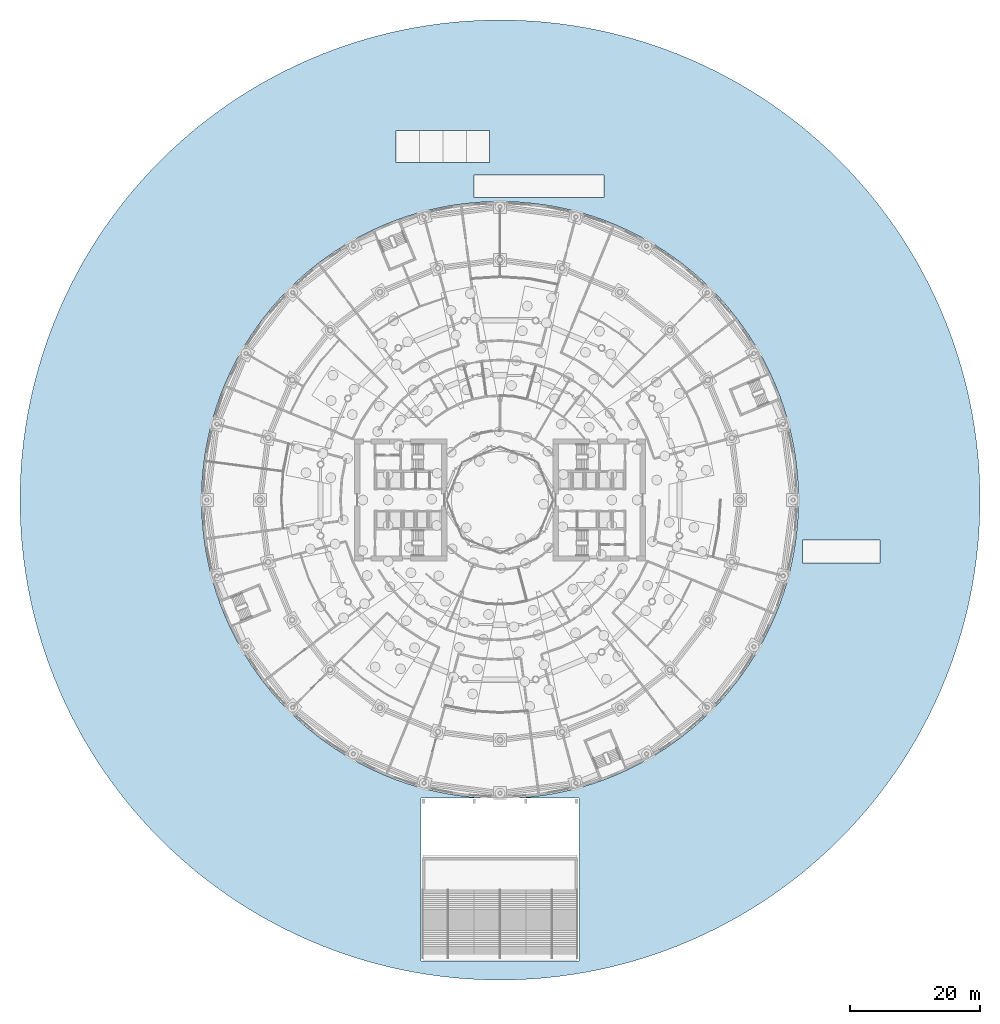
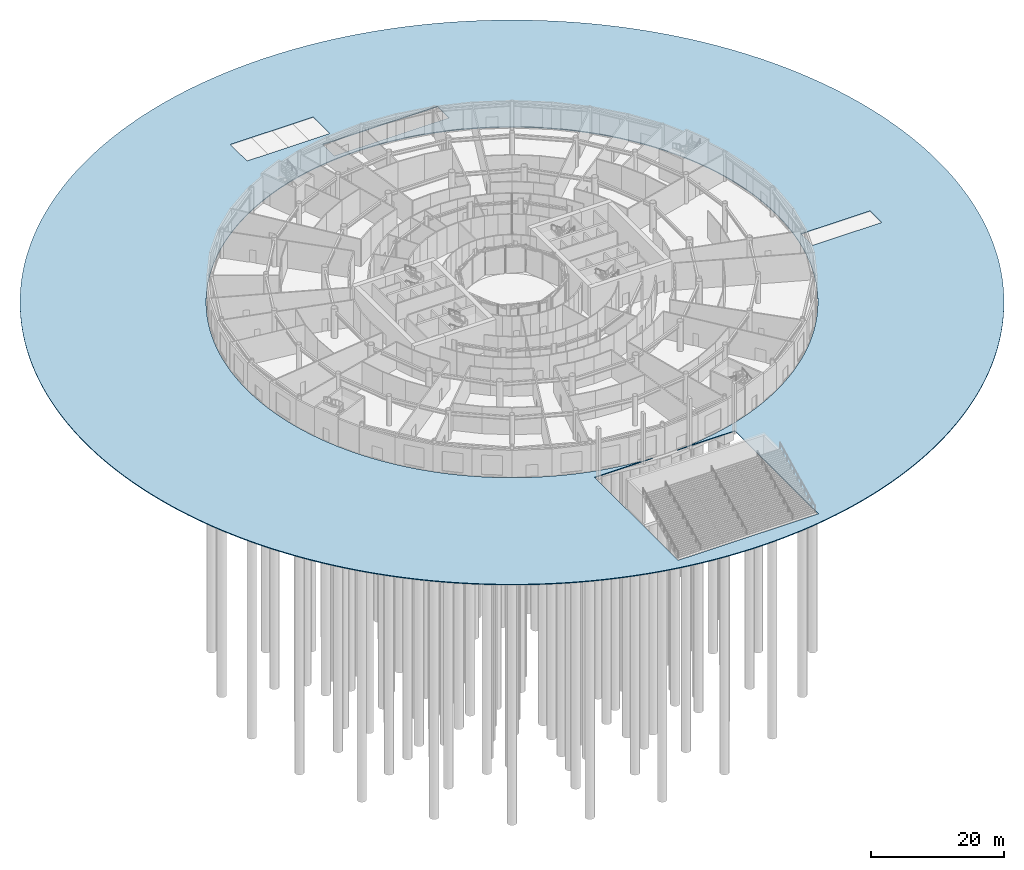
# One storey, part 16 of 41: 1 slab.
"""IFC4 building model written with IfcOpenShell, lengths in metres."""

from ifc_helpers import new_model, si_unit, direction, frame, origin, place, context, subcontext, project, spatial, polyline, outline, extrude, material, layer, layer_set, type_object, element, save


model = new_model("IFC4")

# Units and contexts
model_context = context("Model", 3, precision=1e-05, world=origin(), true_north=direction((0.0, 1.0)))
body_context = subcontext(model_context, "Body", "Model", "MODEL_VIEW")
ifc_project = project(units=[si_unit("LENGTHUNIT", "METRE"), si_unit("AREAUNIT", "SQUARE_METRE"), si_unit("VOLUMEUNIT", "CUBIC_METRE"), si_unit("PLANEANGLEUNIT", "RADIAN"), si_unit("MASSUNIT", "GRAM", prefix="KILO")], contexts=[model_context])

# Site, building, storey
site_placement = place(None, origin())
site = spatial("IfcSite", under=ifc_project, at=site_placement, CompositionType="ELEMENT")
building_placement = place(site_placement, origin())
building = spatial("IfcBuilding", under=site, at=building_placement, Name="Maasbend Ring Residences", CompositionType="ELEMENT")
storey_placement = place(building_placement, origin())
storey = spatial("IfcBuildingStorey", under=building, at=storey_placement, Name="L00", CompositionType="ELEMENT", Elevation=0.0)

# Slab
ifc_material = material(Name="Granite paving", Category="masonry")
ifc_layer = layer(ifc_material, 0.14990234375)
ifc_layer_set = layer_set([ifc_layer], Name="PAVING-PLAZA")
slab_type = type_object("IfcSlabType", Name="PAVING-PLAZA", PredefinedType="USERDEFINED", material=ifc_layer_set)
slab_placement = place(storey_placement, frame((0.0, 0.0, -0.14990234375)))
element("IfcSlab", 1, at=slab_placement, inside=storey, type_object=slab_type, Name="Street paving", ObjectType="PAVING", PredefinedType="USERDEFINED", context=body_context, shape_type="SweptSolid", body=[
    extrude(outline(polyline([(73.910888671875, -3.631103515625), (73.841552734375, -4.83984375), (73.75244140625, -6.04736328125), (73.6435546875, -7.253173828125), (73.51513671875, -8.457275390625), (73.366943359375, -9.658935546875), (73.198974609375, -10.858154296875), (73.01171875, -12.05419921875), (72.8046875, -13.247314453125), (72.578125, -14.436767578125), (72.332275390625, -15.622314453125), (72.06689453125, -16.8037109375), (71.7822265625, -17.98046875), (71.478515625, -19.152587890625), (71.155517578125, -20.319580078125), (70.8134765625, -21.48095703125), (70.45263671875, -22.63671875), (70.07275390625, -23.78662109375), (69.67431640625, -24.929931640625), (69.257080078125, -26.06640625), (68.8212890625, -27.1962890625), (68.3671875, -28.318603515625), (67.89453125, -29.433349609375), (67.40380859375, -30.540283203125), (66.895263671875, -31.63916015625), (66.36865234375, -32.729248046875), (65.82421875, -33.810791015625), (65.26220703125, -34.88330078125), (64.6826171875, -35.946533203125), (64.0859375, -37.0), (63.471923828125, -38.043701171875), (62.841064453125, -39.076904296875), (62.193115234375, -40.10009765625), (61.52880859375, -41.1123046875), (60.847900390625, -42.113525390625), (60.150634765625, -43.103271484375), (59.437255859375, -44.081787109375), (58.708251953125, -45.04833984375), (57.963134765625, -46.0029296875), (57.202880859375, -46.945068359375), (56.427001953125, -47.874755859375), (55.63623046875, -48.79150390625), (54.830322265625, -49.6953125), (54.010009765625, -50.5859375), (53.175048828125, -51.462646484375), (52.325927734375, -52.325927734375), (51.462646484375, -53.175048828125), (50.5859375, -54.010009765625), (49.6953125, -54.830322265625), (48.79150390625, -55.63623046875), (47.874755859375, -56.427001953125), (46.945068359375, -57.202880859375), (46.0029296875, -57.963134765625), (45.04833984375, -58.708251953125), (44.081787109375, -59.437255859375), (43.103271484375, -60.150634765625), (42.113525390625, -60.847900390625), (41.1123046875, -61.52880859375), (40.10009765625, -62.193115234375), (39.076904296875, -62.841064453125), (38.043701171875, -63.471923828125), (37.0, -64.0859375), (35.946533203125, -64.6826171875), (34.88330078125, -65.26220703125), (33.810791015625, -65.82421875), (32.729248046875, -66.36865234375), (31.63916015625, -66.895263671875), (30.540283203125, -67.40380859375), (29.433349609375, -67.89453125), (28.318603515625, -68.3671875), (27.1962890625, -68.8212890625), (26.06640625, -69.257080078125), (24.929931640625, -69.67431640625), (23.78662109375, -70.07275390625), (22.63671875, -70.45263671875), (21.48095703125, -70.8134765625), (20.319580078125, -71.155517578125), (19.152587890625, -71.478515625), (17.98046875, -71.7822265625), (16.8037109375, -72.06689453125), (15.622314453125, -72.332275390625), (14.436767578125, -72.578125), (13.247314453125, -72.8046875), (12.05419921875, -73.01171875), (10.858154296875, -73.198974609375), (9.658935546875, -73.366943359375), (8.457275390625, -73.51513671875), (7.253173828125, -73.6435546875), (6.04736328125, -73.75244140625), (4.83984375, -73.841552734375), (3.631103515625, -73.910888671875), (2.421142578125, -73.96044921875), (1.210693359375, -73.989990234375), (0.0, -74.0), (-1.210693359375, -73.989990234375), (-2.421142578125, -73.96044921875), (-3.631103515625, -73.910888671875), (-4.83984375, -73.841552734375), (-6.04736328125, -73.75244140625), (-7.253173828125, -73.6435546875), (-8.457275390625, -73.51513671875), (-9.658935546875, -73.366943359375), (-10.858154296875, -73.198974609375), (-12.05419921875, -73.01171875), (-13.247314453125, -72.8046875), (-14.436767578125, -72.578125), (-15.622314453125, -72.332275390625), (-16.8037109375, -72.06689453125), (-17.98046875, -71.7822265625), (-19.152587890625, -71.478515625), (-20.319580078125, -71.155517578125), (-21.48095703125, -70.8134765625), (-22.63671875, -70.45263671875), (-23.78662109375, -70.07275390625), (-24.929931640625, -69.67431640625), (-26.06640625, -69.257080078125), (-27.1962890625, -68.8212890625), (-28.318603515625, -68.3671875), (-29.433349609375, -67.89453125), (-30.540283203125, -67.40380859375), (-31.63916015625, -66.895263671875), (-32.729248046875, -66.36865234375), (-33.810791015625, -65.82421875), (-34.88330078125, -65.26220703125), (-35.946533203125, -64.6826171875), (-37.0, -64.0859375), (-38.043701171875, -63.471923828125), (-39.076904296875, -62.841064453125), (-40.10009765625, -62.193115234375), (-41.1123046875, -61.52880859375), (-42.113525390625, -60.847900390625), (-43.103271484375, -60.150634765625), (-44.081787109375, -59.437255859375), (-45.04833984375, -58.708251953125), (-46.0029296875, -57.963134765625), (-46.945068359375, -57.202880859375), (-47.874755859375, -56.427001953125), (-48.79150390625, -55.63623046875), (-49.6953125, -54.830322265625), (-50.5859375, -54.010009765625), (-51.462646484375, -53.175048828125), (-52.325927734375, -52.325927734375), (-53.175048828125, -51.462646484375), (-54.010009765625, -50.5859375), (-54.830322265625, -49.6953125), (-55.63623046875, -48.79150390625), (-56.427001953125, -47.874755859375), (-57.202880859375, -46.945068359375), (-57.963134765625, -46.0029296875), (-58.708251953125, -45.04833984375), (-59.437255859375, -44.081787109375), (-60.150634765625, -43.103271484375), (-60.847900390625, -42.113525390625), (-61.52880859375, -41.1123046875), (-62.193115234375, -40.10009765625), (-62.841064453125, -39.076904296875), (-63.471923828125, -38.043701171875), (-64.0859375, -37.0), (-64.6826171875, -35.946533203125), (-65.26220703125, -34.88330078125), (-65.82421875, -33.810791015625), (-66.36865234375, -32.729248046875), (-66.895263671875, -31.63916015625), (-67.40380859375, -30.540283203125), (-67.89453125, -29.433349609375), (-68.3671875, -28.318603515625), (-68.8212890625, -27.1962890625), (-69.257080078125, -26.06640625), (-69.67431640625, -24.929931640625), (-70.07275390625, -23.78662109375), (-70.45263671875, -22.63671875), (-70.8134765625, -21.48095703125), (-71.155517578125, -20.319580078125), (-71.478515625, -19.152587890625), (-71.7822265625, -17.98046875), (-72.06689453125, -16.8037109375), (-72.332275390625, -15.622314453125), (-72.578125, -14.436767578125), (-72.8046875, -13.247314453125), (-73.01171875, -12.05419921875), (-73.198974609375, -10.858154296875), (-73.366943359375, -9.658935546875), (-73.51513671875, -8.457275390625), (-73.6435546875, -7.253173828125), (-73.75244140625, -6.04736328125), (-73.841552734375, -4.83984375), (-73.910888671875, -3.631103515625), (-73.96044921875, -2.421142578125), (-73.989990234375, -1.210693359375), (-74.0, 0.0), (-73.989990234375, 1.210693359375), (-73.96044921875, 2.421142578125), (-73.910888671875, 3.631103515625), (-73.841552734375, 4.83984375), (-73.75244140625, 6.04736328125), (-73.6435546875, 7.253173828125), (-73.51513671875, 8.457275390625), (-73.366943359375, 9.658935546875), (-73.198974609375, 10.858154296875), (-73.01171875, 12.05419921875), (-72.8046875, 13.247314453125), (-72.578125, 14.436767578125), (-72.332275390625, 15.622314453125), (-72.06689453125, 16.8037109375), (-71.7822265625, 17.98046875), (-71.478515625, 19.152587890625), (-71.155517578125, 20.319580078125), (-70.8134765625, 21.48095703125), (-70.45263671875, 22.63671875), (-70.07275390625, 23.78662109375), (-69.67431640625, 24.929931640625), (-69.257080078125, 26.06640625), (-68.8212890625, 27.1962890625), (-68.3671875, 28.318603515625), (-67.89453125, 29.433349609375), (-67.40380859375, 30.540283203125), (-66.895263671875, 31.63916015625), (-66.36865234375, 32.729248046875), (-65.82421875, 33.810791015625), (-65.26220703125, 34.88330078125), (-64.6826171875, 35.946533203125), (-64.0859375, 37.0), (-63.471923828125, 38.043701171875), (-62.841064453125, 39.076904296875), (-62.193115234375, 40.10009765625), (-61.52880859375, 41.1123046875), (-60.847900390625, 42.113525390625), (-60.150634765625, 43.103271484375), (-59.437255859375, 44.081787109375), (-58.708251953125, 45.04833984375), (-57.963134765625, 46.0029296875), (-57.202880859375, 46.945068359375), (-56.427001953125, 47.874755859375), (-55.63623046875, 48.79150390625), (-54.830322265625, 49.6953125), (-54.010009765625, 50.5859375), (-53.175048828125, 51.462646484375), (-52.325927734375, 52.325927734375), (-51.462646484375, 53.175048828125), (-50.5859375, 54.010009765625), (-49.6953125, 54.830322265625), (-48.79150390625, 55.63623046875), (-47.874755859375, 56.427001953125), (-46.945068359375, 57.202880859375), (-46.0029296875, 57.963134765625), (-45.04833984375, 58.708251953125), (-44.081787109375, 59.437255859375), (-43.103271484375, 60.150634765625), (-42.113525390625, 60.847900390625), (-41.1123046875, 61.52880859375), (-40.10009765625, 62.193115234375), (-39.076904296875, 62.841064453125), (-38.043701171875, 63.471923828125), (-37.0, 64.0859375), (-35.946533203125, 64.6826171875), (-34.88330078125, 65.26220703125), (-33.810791015625, 65.82421875), (-32.729248046875, 66.36865234375), (-31.63916015625, 66.895263671875), (-30.540283203125, 67.40380859375), (-29.433349609375, 67.89453125), (-28.318603515625, 68.3671875), (-27.1962890625, 68.8212890625), (-26.06640625, 69.257080078125), (-24.929931640625, 69.67431640625), (-23.78662109375, 70.07275390625), (-22.63671875, 70.45263671875), (-21.48095703125, 70.8134765625), (-20.319580078125, 71.155517578125), (-19.152587890625, 71.478515625), (-17.98046875, 71.7822265625), (-16.8037109375, 72.06689453125), (-15.622314453125, 72.332275390625), (-14.436767578125, 72.578125), (-13.247314453125, 72.8046875), (-12.05419921875, 73.01171875), (-10.858154296875, 73.198974609375), (-9.658935546875, 73.366943359375), (-8.457275390625, 73.51513671875), (-7.253173828125, 73.6435546875), (-6.04736328125, 73.75244140625), (-4.83984375, 73.841552734375), (-3.631103515625, 73.910888671875), (-2.421142578125, 73.96044921875), (-1.210693359375, 73.989990234375), (0.0, 74.0), (1.210693359375, 73.989990234375), (2.421142578125, 73.96044921875), (3.631103515625, 73.910888671875), (4.83984375, 73.841552734375), (6.04736328125, 73.75244140625), (7.253173828125, 73.6435546875), (8.457275390625, 73.51513671875), (9.658935546875, 73.366943359375), (10.858154296875, 73.198974609375), (12.05419921875, 73.01171875), (13.247314453125, 72.8046875), (14.436767578125, 72.578125), (15.622314453125, 72.332275390625), (16.8037109375, 72.06689453125), (17.98046875, 71.7822265625), (19.152587890625, 71.478515625), (20.319580078125, 71.155517578125), (21.48095703125, 70.8134765625), (22.63671875, 70.45263671875), (23.78662109375, 70.07275390625), (24.929931640625, 69.67431640625), (26.06640625, 69.257080078125), (27.1962890625, 68.8212890625), (28.318603515625, 68.3671875), (29.433349609375, 67.89453125), (30.540283203125, 67.40380859375), (31.63916015625, 66.895263671875), (32.729248046875, 66.36865234375), (33.810791015625, 65.82421875), (34.88330078125, 65.26220703125), (35.946533203125, 64.6826171875), (37.0, 64.0859375), (38.043701171875, 63.471923828125), (39.076904296875, 62.841064453125), (40.10009765625, 62.193115234375), (41.1123046875, 61.52880859375), (42.113525390625, 60.847900390625), (43.103271484375, 60.150634765625), (44.081787109375, 59.437255859375), (45.04833984375, 58.708251953125), (46.0029296875, 57.963134765625), (46.945068359375, 57.202880859375), (47.874755859375, 56.427001953125), (48.79150390625, 55.63623046875), (49.6953125, 54.830322265625), (50.5859375, 54.010009765625), (51.462646484375, 53.175048828125), (52.325927734375, 52.325927734375), (53.175048828125, 51.462646484375), (54.010009765625, 50.5859375), (54.830322265625, 49.6953125), (55.63623046875, 48.79150390625), (56.427001953125, 47.874755859375), (57.202880859375, 46.945068359375), (57.963134765625, 46.0029296875), (58.708251953125, 45.04833984375), (59.437255859375, 44.081787109375), (60.150634765625, 43.103271484375), (60.847900390625, 42.113525390625), (61.52880859375, 41.1123046875), (62.193115234375, 40.10009765625), (62.841064453125, 39.076904296875), (63.471923828125, 38.043701171875), (64.0859375, 37.0), (64.6826171875, 35.946533203125), (65.26220703125, 34.88330078125), (65.82421875, 33.810791015625), (66.36865234375, 32.729248046875), (66.895263671875, 31.63916015625), (67.40380859375, 30.540283203125), (67.89453125, 29.433349609375), (68.3671875, 28.318603515625), (68.8212890625, 27.1962890625), (69.257080078125, 26.06640625), (69.67431640625, 24.929931640625), (70.07275390625, 23.78662109375), (70.45263671875, 22.63671875), (70.8134765625, 21.48095703125), (71.155517578125, 20.319580078125), (71.478515625, 19.152587890625), (71.7822265625, 17.98046875), (72.06689453125, 16.8037109375), (72.332275390625, 15.622314453125), (72.578125, 14.436767578125), (72.8046875, 13.247314453125), (73.01171875, 12.05419921875), (73.198974609375, 10.858154296875), (73.366943359375, 9.658935546875), (73.51513671875, 8.457275390625), (73.6435546875, 7.253173828125), (73.75244140625, 6.04736328125), (73.841552734375, 4.83984375), (73.910888671875, 3.631103515625), (73.96044921875, 2.421142578125), (73.989990234375, 1.210693359375), (74.0, 0.0), (73.989990234375, -1.210693359375), (73.96044921875, -2.421142578125), (73.910888671875, -3.631103515625)]), holes=[polyline([(45.944580078125, 2.257080078125), (45.901611328125, 3.008544921875), (45.84619140625, 3.75927734375), (45.778564453125, 4.5087890625), (45.698486328125, 5.257080078125), (45.6064453125, 6.004150390625), (45.502197265625, 6.74951171875), (45.385498046875, 7.4931640625), (45.2568359375, 8.23486328125), (45.1162109375, 8.97412109375), (44.963134765625, 9.711181640625), (44.79833984375, 10.445556640625), (44.621337890625, 11.177001953125), (44.4326171875, 11.90576171875), (44.23193359375, 12.631103515625), (44.019287109375, 13.35302734375), (43.794921875, 14.071533203125), (43.558837890625, 14.7861328125), (43.31103515625, 15.496826171875), (43.0517578125, 16.20361328125), (42.78076171875, 16.90576171875), (42.49853515625, 17.603515625), (42.204833984375, 18.29638671875), (41.899658203125, 18.984619140625), (41.58349609375, 19.66748046875), (41.256103515625, 20.34521484375), (40.917724609375, 21.017578125), (40.568359375, 21.684326171875), (40.208251953125, 22.34521484375), (39.837158203125, 23.0), (39.45556640625, 23.648681640625), (39.063232421875, 24.291015625), (38.66064453125, 24.927001953125), (38.24755859375, 25.55615234375), (37.82421875, 26.1787109375), (37.390869140625, 26.7939453125), (36.947509765625, 27.402099609375), (36.494140625, 28.0029296875), (36.03125, 28.596435546875), (35.55859375, 29.18212890625), (35.076171875, 29.760009765625), (34.584716796875, 30.329833984375), (34.083740234375, 30.8916015625), (33.57373046875, 31.4453125), (33.0546875, 31.990478515625), (32.52685546875, 32.52685546875), (31.990478515625, 33.0546875), (31.4453125, 33.57373046875), (30.8916015625, 34.083740234375), (30.329833984375, 34.584716796875), (29.760009765625, 35.076171875), (29.18212890625, 35.55859375), (28.596435546875, 36.03125), (28.0029296875, 36.494140625), (27.402099609375, 36.947509765625), (26.7939453125, 37.390869140625), (26.1787109375, 37.82421875), (25.55615234375, 38.24755859375), (24.927001953125, 38.66064453125), (24.291015625, 39.063232421875), (23.648681640625, 39.45556640625), (23.0, 39.837158203125), (22.34521484375, 40.208251953125), (21.684326171875, 40.568359375), (21.017578125, 40.917724609375), (20.34521484375, 41.256103515625), (19.66748046875, 41.58349609375), (18.984619140625, 41.899658203125), (18.29638671875, 42.204833984375), (17.603515625, 42.49853515625), (16.90576171875, 42.78076171875), (16.20361328125, 43.0517578125), (15.496826171875, 43.31103515625), (14.7861328125, 43.558837890625), (14.071533203125, 43.794921875), (13.35302734375, 44.019287109375), (12.631103515625, 44.23193359375), (11.90576171875, 44.4326171875), (11.177001953125, 44.621337890625), (10.445556640625, 44.79833984375), (9.711181640625, 44.963134765625), (8.97412109375, 45.1162109375), (8.23486328125, 45.2568359375), (7.4931640625, 45.385498046875), (6.74951171875, 45.502197265625), (6.004150390625, 45.6064453125), (5.257080078125, 45.698486328125), (4.5087890625, 45.778564453125), (3.75927734375, 45.84619140625), (3.008544921875, 45.901611328125), (2.257080078125, 45.944580078125), (1.505126953125, 45.975341796875), (0.752685546875, 45.993896484375), (0.0, 46.0), (-0.752685546875, 45.993896484375), (-1.505126953125, 45.975341796875), (-2.257080078125, 45.944580078125), (-3.008544921875, 45.901611328125), (-3.75927734375, 45.84619140625), (-4.5087890625, 45.778564453125), (-5.257080078125, 45.698486328125), (-6.004150390625, 45.6064453125), (-6.74951171875, 45.502197265625), (-7.4931640625, 45.385498046875), (-8.23486328125, 45.2568359375), (-8.97412109375, 45.1162109375), (-9.711181640625, 44.963134765625), (-10.445556640625, 44.79833984375), (-11.177001953125, 44.621337890625), (-11.90576171875, 44.4326171875), (-12.631103515625, 44.23193359375), (-13.35302734375, 44.019287109375), (-14.071533203125, 43.794921875), (-14.7861328125, 43.558837890625), (-15.496826171875, 43.31103515625), (-16.20361328125, 43.0517578125), (-16.90576171875, 42.78076171875), (-17.603515625, 42.49853515625), (-18.29638671875, 42.204833984375), (-18.984619140625, 41.899658203125), (-19.66748046875, 41.58349609375), (-20.34521484375, 41.256103515625), (-21.017578125, 40.917724609375), (-21.684326171875, 40.568359375), (-22.34521484375, 40.208251953125), (-23.0, 39.837158203125), (-23.648681640625, 39.45556640625), (-24.291015625, 39.063232421875), (-24.927001953125, 38.66064453125), (-25.55615234375, 38.24755859375), (-26.1787109375, 37.82421875), (-26.7939453125, 37.390869140625), (-27.402099609375, 36.947509765625), (-28.0029296875, 36.494140625), (-28.596435546875, 36.03125), (-29.18212890625, 35.55859375), (-29.760009765625, 35.076171875), (-30.329833984375, 34.584716796875), (-30.8916015625, 34.083740234375), (-31.4453125, 33.57373046875), (-31.990478515625, 33.0546875), (-32.52685546875, 32.52685546875), (-33.0546875, 31.990478515625), (-33.57373046875, 31.4453125), (-34.083740234375, 30.8916015625), (-34.584716796875, 30.329833984375), (-35.076171875, 29.760009765625), (-35.55859375, 29.18212890625), (-36.03125, 28.596435546875), (-36.494140625, 28.0029296875), (-36.947509765625, 27.402099609375), (-37.390869140625, 26.7939453125), (-37.82421875, 26.1787109375), (-38.24755859375, 25.55615234375), (-38.66064453125, 24.927001953125), (-39.063232421875, 24.291015625), (-39.45556640625, 23.648681640625), (-39.837158203125, 23.0), (-40.208251953125, 22.34521484375), (-40.568359375, 21.684326171875), (-40.917724609375, 21.017578125), (-41.256103515625, 20.34521484375), (-41.58349609375, 19.66748046875), (-41.899658203125, 18.984619140625), (-42.204833984375, 18.29638671875), (-42.49853515625, 17.603515625), (-42.78076171875, 16.90576171875), (-43.0517578125, 16.20361328125), (-43.31103515625, 15.496826171875), (-43.558837890625, 14.7861328125), (-43.794921875, 14.071533203125), (-44.019287109375, 13.35302734375), (-44.23193359375, 12.631103515625), (-44.4326171875, 11.90576171875), (-44.621337890625, 11.177001953125), (-44.79833984375, 10.445556640625), (-44.963134765625, 9.711181640625), (-45.1162109375, 8.97412109375), (-45.2568359375, 8.23486328125), (-45.385498046875, 7.4931640625), (-45.502197265625, 6.74951171875), (-45.6064453125, 6.004150390625), (-45.698486328125, 5.257080078125), (-45.778564453125, 4.5087890625), (-45.84619140625, 3.75927734375), (-45.901611328125, 3.008544921875), (-45.944580078125, 2.257080078125), (-45.975341796875, 1.505126953125), (-45.993896484375, 0.752685546875), (-46.0, 0.0), (-45.993896484375, -0.752685546875), (-45.975341796875, -1.505126953125), (-45.944580078125, -2.257080078125), (-45.901611328125, -3.008544921875), (-45.84619140625, -3.75927734375), (-45.778564453125, -4.5087890625), (-45.698486328125, -5.257080078125), (-45.6064453125, -6.004150390625), (-45.502197265625, -6.74951171875), (-45.385498046875, -7.4931640625), (-45.2568359375, -8.23486328125), (-45.1162109375, -8.97412109375), (-44.963134765625, -9.711181640625), (-44.79833984375, -10.445556640625), (-44.621337890625, -11.177001953125), (-44.4326171875, -11.90576171875), (-44.23193359375, -12.631103515625), (-44.019287109375, -13.35302734375), (-43.794921875, -14.071533203125), (-43.558837890625, -14.7861328125), (-43.31103515625, -15.496826171875), (-43.0517578125, -16.20361328125), (-42.78076171875, -16.90576171875), (-42.49853515625, -17.603515625), (-42.204833984375, -18.29638671875), (-41.899658203125, -18.984619140625), (-41.58349609375, -19.66748046875), (-41.256103515625, -20.34521484375), (-40.917724609375, -21.017578125), (-40.568359375, -21.684326171875), (-40.208251953125, -22.34521484375), (-39.837158203125, -23.0), (-39.45556640625, -23.648681640625), (-39.063232421875, -24.291015625), (-38.66064453125, -24.927001953125), (-38.24755859375, -25.55615234375), (-37.82421875, -26.1787109375), (-37.390869140625, -26.7939453125), (-36.947509765625, -27.402099609375), (-36.494140625, -28.0029296875), (-36.03125, -28.596435546875), (-35.55859375, -29.18212890625), (-35.076171875, -29.760009765625), (-34.584716796875, -30.329833984375), (-34.083740234375, -30.8916015625), (-33.57373046875, -31.4453125), (-33.0546875, -31.990478515625), (-32.52685546875, -32.52685546875), (-31.990478515625, -33.0546875), (-31.4453125, -33.57373046875), (-30.8916015625, -34.083740234375), (-30.329833984375, -34.584716796875), (-29.760009765625, -35.076171875), (-29.18212890625, -35.55859375), (-28.596435546875, -36.03125), (-28.0029296875, -36.494140625), (-27.402099609375, -36.947509765625), (-26.7939453125, -37.390869140625), (-26.1787109375, -37.82421875), (-25.55615234375, -38.24755859375), (-24.927001953125, -38.66064453125), (-24.291015625, -39.063232421875), (-23.648681640625, -39.45556640625), (-23.0, -39.837158203125), (-22.34521484375, -40.208251953125), (-21.684326171875, -40.568359375), (-21.017578125, -40.917724609375), (-20.34521484375, -41.256103515625), (-19.66748046875, -41.58349609375), (-18.984619140625, -41.899658203125), (-18.29638671875, -42.204833984375), (-17.603515625, -42.49853515625), (-16.90576171875, -42.78076171875), (-16.20361328125, -43.0517578125), (-15.496826171875, -43.31103515625), (-14.7861328125, -43.558837890625), (-14.071533203125, -43.794921875), (-13.35302734375, -44.019287109375), (-12.631103515625, -44.23193359375), (-11.90576171875, -44.4326171875), (-11.177001953125, -44.621337890625), (-10.445556640625, -44.79833984375), (-9.711181640625, -44.963134765625), (-8.97412109375, -45.1162109375), (-8.23486328125, -45.2568359375), (-7.4931640625, -45.385498046875), (-6.74951171875, -45.502197265625), (-6.004150390625, -45.6064453125), (-5.257080078125, -45.698486328125), (-4.5087890625, -45.778564453125), (-3.75927734375, -45.84619140625), (-3.008544921875, -45.901611328125), (-2.257080078125, -45.944580078125), (-2.125, -45.949951171875), (-12.199951171875, -45.949951171875), (-12.199951171875, -71.10009765625), (12.199951171875, -71.10009765625), (12.199951171875, -45.949951171875), (2.125, -45.949951171875), (2.257080078125, -45.944580078125), (3.008544921875, -45.901611328125), (3.75927734375, -45.84619140625), (4.5087890625, -45.778564453125), (5.257080078125, -45.698486328125), (6.004150390625, -45.6064453125), (6.74951171875, -45.502197265625), (7.4931640625, -45.385498046875), (8.23486328125, -45.2568359375), (8.97412109375, -45.1162109375), (9.711181640625, -44.963134765625), (10.445556640625, -44.79833984375), (11.177001953125, -44.621337890625), (11.90576171875, -44.4326171875), (12.631103515625, -44.23193359375), (13.35302734375, -44.019287109375), (14.071533203125, -43.794921875), (14.7861328125, -43.558837890625), (15.496826171875, -43.31103515625), (16.20361328125, -43.0517578125), (16.90576171875, -42.78076171875), (17.603515625, -42.49853515625), (18.29638671875, -42.204833984375), (18.984619140625, -41.899658203125), (19.66748046875, -41.58349609375), (20.34521484375, -41.256103515625), (21.017578125, -40.917724609375), (21.684326171875, -40.568359375), (22.34521484375, -40.208251953125), (23.0, -39.837158203125), (23.648681640625, -39.45556640625), (24.291015625, -39.063232421875), (24.927001953125, -38.66064453125), (25.55615234375, -38.24755859375), (26.1787109375, -37.82421875), (26.7939453125, -37.390869140625), (27.402099609375, -36.947509765625), (28.0029296875, -36.494140625), (28.596435546875, -36.03125), (29.18212890625, -35.55859375), (29.760009765625, -35.076171875), (30.329833984375, -34.584716796875), (30.8916015625, -34.083740234375), (31.4453125, -33.57373046875), (31.990478515625, -33.0546875), (32.52685546875, -32.52685546875), (33.0546875, -31.990478515625), (33.57373046875, -31.4453125), (34.083740234375, -30.8916015625), (34.584716796875, -30.329833984375), (35.076171875, -29.760009765625), (35.55859375, -29.18212890625), (36.03125, -28.596435546875), (36.494140625, -28.0029296875), (36.947509765625, -27.402099609375), (37.390869140625, -26.7939453125), (37.82421875, -26.1787109375), (38.24755859375, -25.55615234375), (38.66064453125, -24.927001953125), (39.063232421875, -24.291015625), (39.45556640625, -23.648681640625), (39.837158203125, -23.0), (40.208251953125, -22.34521484375), (40.568359375, -21.684326171875), (40.917724609375, -21.017578125), (41.256103515625, -20.34521484375), (41.58349609375, -19.66748046875), (41.899658203125, -18.984619140625), (42.204833984375, -18.29638671875), (42.49853515625, -17.603515625), (42.78076171875, -16.90576171875), (43.0517578125, -16.20361328125), (43.31103515625, -15.496826171875), (43.558837890625, -14.7861328125), (43.794921875, -14.071533203125), (44.019287109375, -13.35302734375), (44.23193359375, -12.631103515625), (44.4326171875, -11.90576171875), (44.621337890625, -11.177001953125), (44.79833984375, -10.445556640625), (44.963134765625, -9.711181640625), (45.1162109375, -8.97412109375), (45.2568359375, -8.23486328125), (45.385498046875, -7.4931640625), (45.502197265625, -6.74951171875), (45.6064453125, -6.004150390625), (45.698486328125, -5.257080078125), (45.778564453125, -4.5087890625), (45.84619140625, -3.75927734375), (45.901611328125, -3.008544921875), (45.944580078125, -2.257080078125), (45.975341796875, -1.505126953125), (45.993896484375, -0.752685546875), (46.0, 0.0), (45.993896484375, 0.752685546875), (45.975341796875, 1.505126953125), (45.944580078125, 2.257080078125)]), polyline([(46.60009765625, -9.699951171875), (58.60009765625, -9.699951171875), (58.60009765625, -6.199951171875), (46.60009765625, -6.199951171875), (46.60009765625, -9.699951171875)]), polyline([(-4.0, 50.10009765625), (-4.0, 46.60009765625), (16.0, 46.60009765625), (16.0, 50.10009765625), (-4.0, 50.10009765625)]), polyline([(-16.0, 57.0), (-16.0, 52.0), (-12.39990234375, 52.0), (-8.800048828125, 52.0), (-5.199951171875, 52.0), (-1.60009765625, 52.0), (-1.60009765625, 57.0), (-5.199951171875, 57.0), (-8.800048828125, 57.0), (-12.39990234375, 57.0), (-16.0, 57.0)])]), origin(), (0.0, 0.0, 1.0), 0.14990234375),
])

save(model, "model.ifc")
